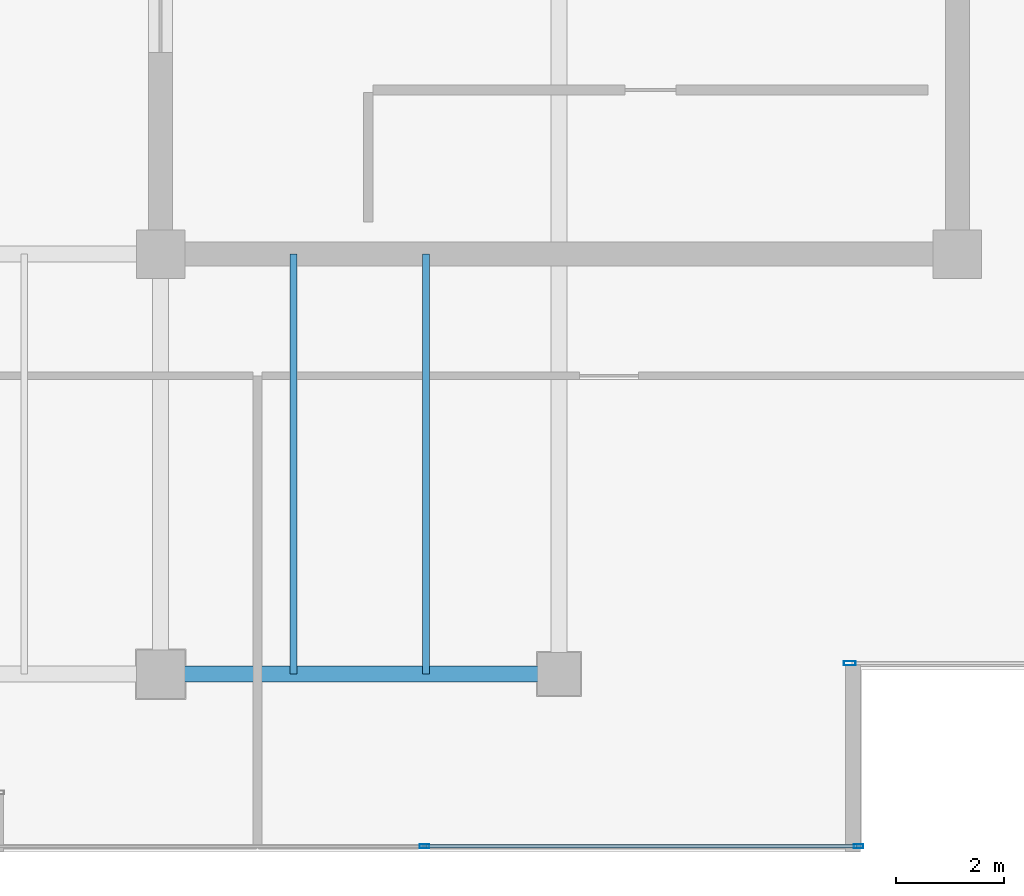
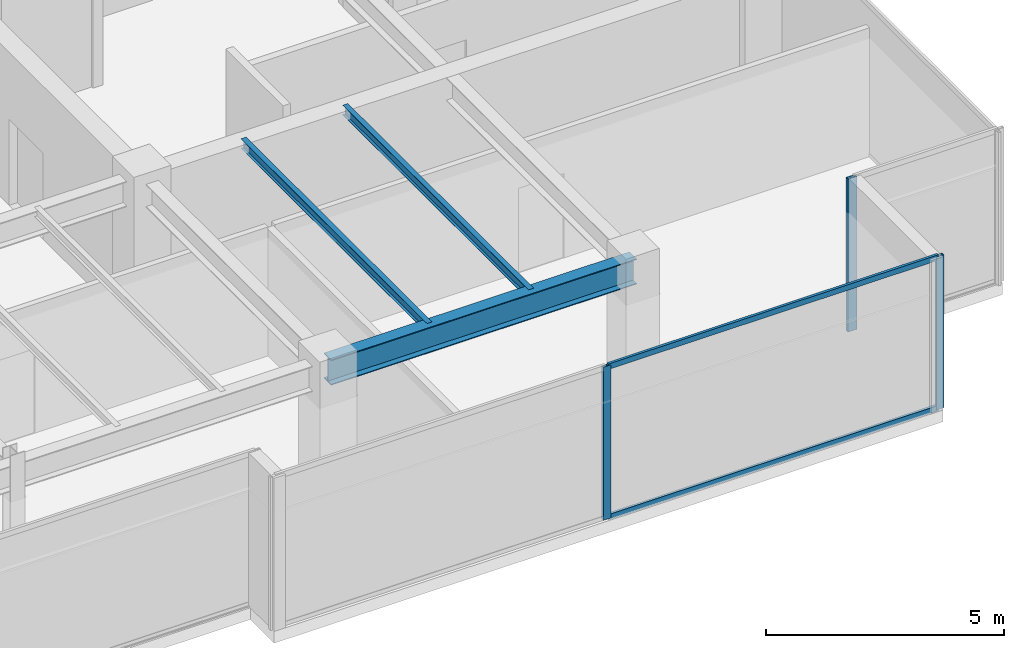
# One storey, part 14 of 34: 5 members, 3 beams, 2 elements without a shape of their own.
"""IFC4 building model written with IfcOpenShell, lengths in metres."""

from ifc_helpers import new_model, si_unit, direction, frame, origin, origin_2d, place, context, subcontext, project, spatial, hollow_rectangle, i_section, extrude, source, transform, mapped, material, layer, layer_set, material_profile, profile_set, type_object, type_shapes, element, aggregate, save


model = new_model("IFC4")

# Units and contexts
model_context = context("Model", 3, precision=1e-05, world=origin(), true_north=direction((0.0, 1.0)))
body_context = subcontext(model_context, "Body", "Model", "MODEL_VIEW")
ifc_project = project(units=[si_unit("LENGTHUNIT", "METRE"), si_unit("AREAUNIT", "SQUARE_METRE"), si_unit("VOLUMEUNIT", "CUBIC_METRE"), si_unit("PLANEANGLEUNIT", "RADIAN"), si_unit("MASSUNIT", "GRAM", prefix="KILO")], contexts=[model_context])

# Site, building, storey
site_placement = place(None, origin())
site = spatial("IfcSite", under=ifc_project, at=site_placement, CompositionType="ELEMENT")
building_placement = place(site_placement, origin())
building = spatial("IfcBuilding", under=site, at=building_placement, Name="Haelvirn Gate Laboratories", CompositionType="ELEMENT")
storey_placement = place(building_placement, frame((0.0, 0.0, 322.800048828125)))
storey = spatial("IfcBuildingStorey", under=building, at=storey_placement, Name="L77", CompositionType="ELEMENT", Elevation=322.800048828125)

# Beams
ifc_material_1 = material(Name="Steel SM355", Category="steel")
ifc_material_profile_1 = material_profile(ifc_material_1, i_section(OverallWidth=0.300048828125, OverallDepth=0.64990234375, WebThickness=0.012939453125, FlangeThickness=0.02197265625, at=origin_2d()), Name="H-650x300x13x22")
ifc_profile_set_1 = profile_set([ifc_material_profile_1], Name="Steel SM355")
beam_type_1 = type_object("IfcBeamType", Name="BM-G-650", PredefinedType="BEAM", material=ifc_profile_set_1)
shared_shape_1 = source(origin(), body_context, "Body", "SweptSolid", [
    extrude(i_section(OverallWidth=0.300048828125, OverallDepth=0.64990234375, WebThickness=0.012939453125, FlangeThickness=0.02197265625, at=origin_2d()), origin(), (0.0, 0.0, 1.0), 7.39990234375),
])
type_shapes(beam_type_1, [shared_shape_1])
beam_placement = place(storey_placement, frame((52.60009765625, 7.0, 3.594970703125), z_axis=(1.0, 0.0, 0.0), x_axis=(0.0, 1.0, 0.0)))
element("IfcBeam", 1, at=beam_placement, inside=storey, type_object=beam_type_1, Name="L77 Primary Girder Y7.0 (52.6-60.0)", PredefinedType="BEAM", context=body_context, shape_type="MappedRepresentation", body=[
    mapped(shared_shape_1, transform((0.0, 0.0, 0.0), scale=1.0)),
])
ifc_material_profile_2 = material_profile(ifc_material_1, i_section(OverallWidth=0.125, OverallDepth=0.25, WebThickness=0.006103515625, FlangeThickness=0.009033203125, at=origin_2d()), Name="H-250x125x6x9")
ifc_profile_set_2 = profile_set([ifc_material_profile_2], Name="Steel SM355")
beam_type_2 = type_object("IfcBeamType", Name="BM-J-250", PredefinedType="JOIST", material=ifc_profile_set_2)
shared_shape_2 = source(origin(), body_context, "Body", "SweptSolid", [
    extrude(i_section(OverallWidth=0.125, OverallDepth=0.25, WebThickness=0.006103515625, FlangeThickness=0.009033203125, at=origin_2d()), origin(), (0.0, 0.0, 1.0), 7.800048828125),
])
type_shapes(beam_type_2, [shared_shape_2])
for number, where, z_axis, x_axis, name in (
    (2, (55.070068359375, 7.0, 3.794921875), (0.0, 1.0, 0.0), (-1.0, 0.0, 0.0), "L77 Composite Lab Joist South X55.07"),
    (3, (57.530029296875, 7.0, 3.794921875), (0.0, 1.0, 0.0), (-1.0, 0.0, 0.0), "L77 Composite Lab Joist South X57.53"),
):
    element("IfcBeam", number, at=place(storey_placement, frame(where, z_axis=z_axis, x_axis=x_axis)), inside=storey, type_object=beam_type_2, Name=name, PredefinedType="JOIST", context=body_context, shape_type="MappedRepresentation", body=[
        mapped(shared_shape_2, transform((0.0, 0.0, 0.0), scale=1.0)),
    ])

# Curtain wall, members
ifc_material_2 = material(Name="Anodised bronze unitised aluminium & triple low-E glass", Category="aluminium")
ifc_layer_1 = layer(ifc_material_2, 0.176025390625, Name="CW-SYS-4")
ifc_layer_set_1 = layer_set([ifc_layer_1], Name="Anodised bronze unitised aluminium & triple low-E glass")
curtain_wall_type_1 = type_object("IfcCurtainWallType", Name="CW-SYS-4", PredefinedType="NOTDEFINED", material=ifc_layer_set_1)
curtain_wall_1_placement = place(storey_placement, origin())
curtain_wall_1 = element("IfcCurtainWall", 4, at=curtain_wall_1_placement, inside=storey, type_object=curtain_wall_type_1, Name="L77 Unitised Curtain Wall CW-L77-P0-E04-1", PredefinedType="NOTDEFINED")
ifc_material_3 = material(Name="Extruded aluminium 6063-T6 (anodised bronze)", Category="aluminium")
ifc_material_profile_3 = material_profile(ifc_material_3, hollow_rectangle(XDim=0.06494140625, YDim=0.139892578125, WallThickness=0.00390625, at=origin_2d()), Name="CWT-140x65x4")
ifc_profile_set_3 = profile_set([ifc_material_profile_3], Name="Extruded aluminium 6063-T6 (anodised bronze)")
member_type_1 = type_object("IfcMemberType", Name="CWT-T140", PredefinedType="USERDEFINED", material=ifc_profile_set_3)
shared_shape_3 = source(origin(), body_context, "Body", "SweptSolid", [
    extrude(hollow_rectangle(XDim=0.06494140625, YDim=0.139892578125, WallThickness=0.00390625, at=origin_2d()), origin(), (0.0, 0.0, 1.0), 7.9951171875),
])
type_shapes(member_type_1, [shared_shape_3])
member_1_placement = place(storey_placement, frame((57.534912109375, 3.800048828125, 0.032470703125), z_axis=(1.0, 0.0, 0.0), x_axis=(0.0, 1.0, 0.0)))
member_1 = element("IfcMember", 5, at=member_1_placement, type_object=member_type_1, Name="CW4 transom 2.1", ObjectType="TRANSOM", PredefinedType="USERDEFINED", context=body_context, shape_type="MappedRepresentation", body=[
    mapped(shared_shape_3, transform((0.0, 0.0, 0.0), scale=1.0)),
])
member_2_placement = place(storey_placement, frame((57.534912109375, 3.800048828125, 3.887451171875), z_axis=(1.0, 0.0, 0.0), x_axis=(0.0, 1.0, 0.0)))
member_2 = element("IfcMember", 6, at=member_2_placement, type_object=member_type_1, Name="CW4 transom 2.2", ObjectType="TRANSOM", PredefinedType="USERDEFINED", context=body_context, shape_type="MappedRepresentation", body=[
    mapped(shared_shape_3, transform((0.0, 0.0, 0.0), scale=1.0)),
])
ifc_material_profile_4 = material_profile(ifc_material_3, hollow_rectangle(XDim=0.070068359375, YDim=0.179931640625, WallThickness=0.0048828125, at=origin_2d()), Name="CWM-180x70x5")
ifc_profile_set_4 = profile_set([ifc_material_profile_4], Name="Extruded aluminium 6063-T6 (anodised bronze)")
member_type_2 = type_object("IfcMemberType", Name="CWM-T180", PredefinedType="MULLION", material=ifc_profile_set_4)
shared_shape_4 = source(origin(), body_context, "Body", "SweptSolid", [
    extrude(hollow_rectangle(XDim=0.070068359375, YDim=0.179931640625, WallThickness=0.0048828125, at=origin_2d()), origin(), (0.0, 0.0, 1.0), 3.919921875),
])
type_shapes(member_type_2, [shared_shape_4])
member_3_placement = place(storey_placement, frame((57.5, 3.800048828125, 0.0), z_axis=(0.0, 0.0, 1.0), x_axis=(0.0, 1.0, 0.0)))
member_3 = element("IfcMember", 7, at=member_3_placement, type_object=member_type_2, Name="CW4 mullion 2", PredefinedType="MULLION", context=body_context, shape_type="MappedRepresentation", body=[
    mapped(shared_shape_4, transform((0.0, 0.0, 0.0), scale=1.0)),
])
member_4_placement = place(storey_placement, frame((65.56494140625, 3.800048828125, 0.0), z_axis=(0.0, 0.0, 1.0), x_axis=(0.0, 1.0, 0.0)))
member_4 = element("IfcMember", 8, at=member_4_placement, type_object=member_type_2, Name="CW4 mullion 3", PredefinedType="MULLION", context=body_context, shape_type="MappedRepresentation", body=[
    mapped(shared_shape_4, transform((0.0, 0.0, 0.0), scale=1.0)),
])
aggregate(curtain_wall_1, [member_3, member_4, member_1, member_2])

# Curtain wall, member
ifc_layer_2 = layer(ifc_material_2, 0.181884765625, Name="CW-SYS-5")
ifc_layer_set_2 = layer_set([ifc_layer_2], Name="Anodised bronze unitised aluminium & triple low-E glass")
curtain_wall_type_2 = type_object("IfcCurtainWallType", Name="CW-SYS-5", PredefinedType="NOTDEFINED", material=ifc_layer_set_2)
curtain_wall_2_placement = place(storey_placement, origin())
curtain_wall_2 = element("IfcCurtainWall", 9, at=curtain_wall_2_placement, inside=storey, type_object=curtain_wall_type_2, Name="L77 Unitised Curtain Wall CW-L77-P0-E06-1", PredefinedType="NOTDEFINED")
ifc_material_profile_5 = material_profile(ifc_material_3, hollow_rectangle(XDim=0.080078125, YDim=0.219970703125, WallThickness=0.006103515625, at=origin_2d()), Name="CWM-220x80x6")
ifc_profile_set_5 = profile_set([ifc_material_profile_5], Name="Extruded aluminium 6063-T6 (anodised bronze)")
member_type_3 = type_object("IfcMemberType", Name="CWM-T220", PredefinedType="MULLION", material=ifc_profile_set_5)
shared_shape_5 = source(origin(), body_context, "Body", "SweptSolid", [
    extrude(hollow_rectangle(XDim=0.080078125, YDim=0.219970703125, WallThickness=0.006103515625, at=origin_2d()), origin(), (0.0, 0.0, 1.0), 3.919921875),
])
type_shapes(member_type_3, [shared_shape_5])
member_5_placement = place(storey_placement, frame((65.39990234375, 7.199951171875, 0.0), z_axis=(0.0, 0.0, 1.0), x_axis=(0.0, 1.0, 0.0)))
member_5 = element("IfcMember", 10, at=member_5_placement, type_object=member_type_3, Name="CW5 mullion 1", PredefinedType="MULLION", context=body_context, shape_type="MappedRepresentation", body=[
    mapped(shared_shape_5, transform((0.0, 0.0, 0.0), scale=1.0)),
])
aggregate(curtain_wall_2, [member_5])

save(model, "model.ifc")
